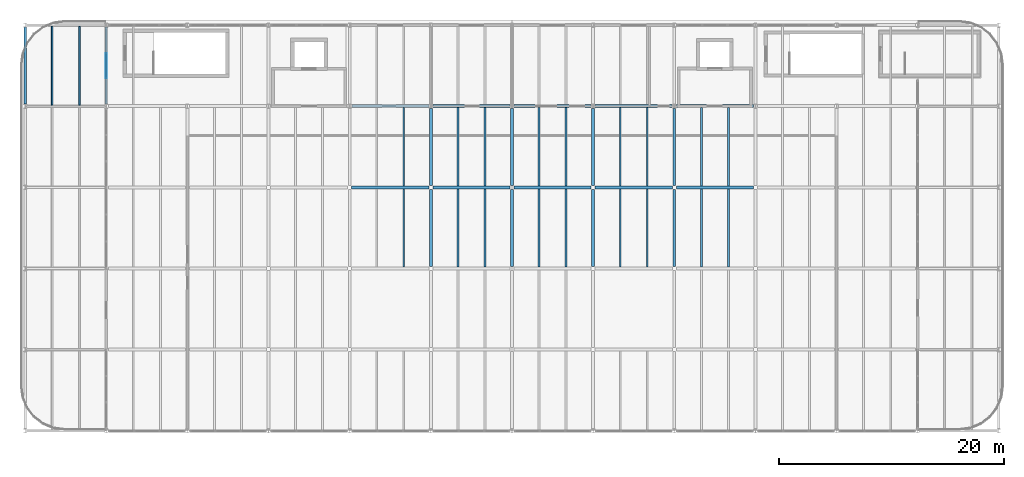
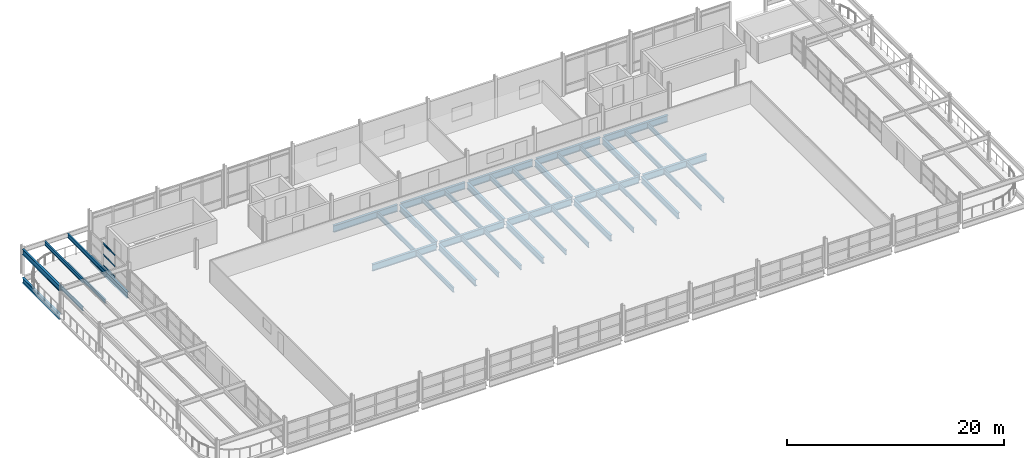
# One storey, part 12 of 25: 43 beams, 3 members, 1 element without a shape of its own.
"""IFC4 building model written with IfcOpenShell, lengths in metres."""

import ifcopenshell
import ifcopenshell.guid

model = None  # the IFC model being written
_history = None  # IfcOwnerHistory: only IFC2X3 demands one
_inside = {}  # id of a spatial element -> (the spatial element, [elements in it])
_under = {}  # id of a project, library or spatial element -> (it, [spatial elements below it])
_declared = {}  # id of a project -> (the project, [libraries it declares])
_typed = {}  # id of a type object -> (the type object, [elements of that type])
_made_of = {}  # id of a material, layer set ... -> (it, [elements and type objects made of it])


def new_model(schema):
    """Start an empty IFC model of exactly this schema.

    Asked for "IFC4X3", IfcOpenShell would pick the latest addendum, in which some entities
    have other attributes; the version numbers below select the first issue.
    IFC2X3 requires an IfcOwnerHistory on every rooted entity: one is made here for all.
    """
    global model, _history
    if schema == "IFC4X3":
        model = ifcopenshell.file(schema_version=(4, 3, 0, 0))
    else:
        model = ifcopenshell.file(schema=schema)
    _inside.clear()
    _under.clear()
    _declared.clear()
    _typed.clear()
    _made_of.clear()
    _history = None
    if model.schema == "IFC2X3":
        org = make("IfcOrganization", Name="unknown")
        user = make(
            "IfcPersonAndOrganization",
            ThePerson=make("IfcPerson", FamilyName="unknown"),
            TheOrganization=org,
        )
        app = make(
            "IfcApplication",
            ApplicationDeveloper=org,
            Version="unknown",
            ApplicationFullName="unknown",
            ApplicationIdentifier="unknown",
        )
        _history = make(
            "IfcOwnerHistory",
            OwningUser=user,
            OwningApplication=app,
            ChangeAction="ADDED",
            CreationDate=0,
        )
    return model


def make(cls, **values):
    """One entity of the class cls with the attributes given. An attribute that is None is left unset."""
    return model.create_entity(
        cls, **{name: value for name, value in values.items() if value is not None}
    )


def rooted(cls, **values):
    """An entity with a GlobalId (a new one), such as an element, a storey or a relation."""
    return make(cls, GlobalId=ifcopenshell.guid.new(), OwnerHistory=_history, **values)


def si_unit(unit_type, name, prefix=None):
    """IfcSIUnit, for example si_unit("LENGTHUNIT", "METRE", prefix="MILLI")."""
    return make("IfcSIUnit", UnitType=unit_type, Prefix=prefix, Name=name)


def assignment(units):
    """IfcUnitAssignment: the units of a project."""
    return None if units is None else make("IfcUnitAssignment", Units=units)


def point(xyz):
    """IfcCartesianPoint."""
    return None if xyz is None else make("IfcCartesianPoint", Coordinates=xyz)


def direction(xyz):
    """IfcDirection."""
    return None if xyz is None else make("IfcDirection", DirectionRatios=xyz)


def frame(location, z_axis=None, x_axis=None):
    """IfcAxis2Placement3D, a coordinate frame: its origin and axes. An axis left out is left unset."""
    return make(
        "IfcAxis2Placement3D",
        Location=point(location),
        Axis=direction(z_axis),
        RefDirection=direction(x_axis),
    )


def frame_2d(location, x_axis=None):
    """IfcAxis2Placement2D, a coordinate frame in the plane: its origin and x axis."""
    return make(
        "IfcAxis2Placement2D", Location=point(location), RefDirection=direction(x_axis)
    )


def origin():
    """The frame at (0, 0, 0) with its axes left unset."""
    return frame((0.0, 0.0, 0.0))


def origin_2d():
    """The frame at (0, 0) in the plane with its x axis left unset."""
    return frame_2d((0.0, 0.0))


def place(relative_to, where):
    """IfcLocalPlacement: puts the frame where relative to a parent placement (None: the world)."""
    return make(
        "IfcLocalPlacement", PlacementRelTo=relative_to, RelativePlacement=where
    )


def context(
    kind, dimensions, precision=None, world=None, true_north=None, identifier=None
):
    """IfcGeometricRepresentationContext, for example the 3D "Model" context."""
    return make(
        "IfcGeometricRepresentationContext",
        ContextIdentifier=identifier,
        ContextType=kind,
        CoordinateSpaceDimension=dimensions,
        Precision=precision,
        WorldCoordinateSystem=world,
        TrueNorth=true_north,
    )


def subcontext(parent, identifier, kind, view, scale=None):
    """IfcGeometricRepresentationSubContext, for example "Body" below "Model"."""
    return make(
        "IfcGeometricRepresentationSubContext",
        ContextIdentifier=identifier,
        ContextType=kind,
        ParentContext=parent,
        TargetScale=scale,
        TargetView=view,
    )


def project(units=None, contexts=None):
    """IfcProject with its units and contexts."""
    return rooted(
        "IfcProject",
        Name="project",
        RepresentationContexts=contexts,
        UnitsInContext=assignment(units),
    )


def spatial(cls, under=None, at=None, **own):
    """A site, building, storey or space (cls), placed at a placement, below another one or the project."""
    s = rooted(cls, ObjectPlacement=at, **own)
    if under is not None:
        _under.setdefault(under.id(), (under, []))[1].append(s)
    return s


def profile(cls, at=None, kind="AREA", **sizes):
    """A parametric profile (cls). Its sizes go by their IFC names, for example OverallWidth=200.0."""
    return make(cls, ProfileType=kind, Position=at, **sizes)


def rectangle(**sizes):
    """IfcRectangleProfileDef."""
    return profile("IfcRectangleProfileDef", **sizes)


def i_section(**sizes):
    """IfcIShapeProfileDef."""
    return profile("IfcIShapeProfileDef", **sizes)


def extrude(swept, where, along, depth):
    """IfcExtrudedAreaSolid: the profile swept, set in the frame where, extruded along a direction by depth."""
    return make(
        "IfcExtrudedAreaSolid",
        SweptArea=swept,
        Position=where,
        ExtrudedDirection=direction(along),
        Depth=depth,
    )


def shape(context_of_items, identifier, shape_type, items):
    """IfcShapeRepresentation: the items that make up one representation, for example the "Body"."""
    return make(
        "IfcShapeRepresentation",
        ContextOfItems=context_of_items,
        RepresentationIdentifier=identifier,
        RepresentationType=shape_type,
        Items=items,
    )


def material(Name=None, Category=None):
    """IfcMaterial."""
    return make("IfcMaterial", Name=Name, Category=Category)


def material_profile(
    of_material, cross_section, Name=None, Category=None, Priority=None
):
    """IfcMaterialProfile: a cross section and its material."""
    return make(
        "IfcMaterialProfile",
        Name=Name,
        Material=of_material,
        Profile=cross_section,
        Priority=Priority,
        Category=Category,
    )


def profile_set(profiles, Name=None, composite=None):
    """IfcMaterialProfileSet."""
    return make(
        "IfcMaterialProfileSet",
        Name=Name,
        MaterialProfiles=profiles,
        CompositeProfile=composite,
    )


def made_of(thing, what):
    """Note that an element or type object is made of a material, layer set ...; save() writes the relation."""
    if what is not None:
        _made_of.setdefault(what.id(), (what, []))[1].append(thing)
    return thing


def type_object(cls, material=None, **own):
    """A type object (cls), such as IfcWallType, which elements share."""
    return made_of(rooted(cls, **own), material)


def element(
    cls,
    number,
    at=None,
    inside=None,
    cuts=None,
    type_object=None,
    material=None,
    context=None,
    identifier="Body",
    shape_type=None,
    held_by="IfcProductDefinitionShape",
    body=None,
    shapes=None,
    **own,
):
    """One element of the class cls, such as IfcWall. Its Tag is "e" and its number.

    at: its placement. inside: the storey or other place that contains it. cuts: it is an
    opening in that element (IfcRelVoidsElement). A single representation is given by context,
    identifier, shape_type and body (its items); several are given by shapes. held_by: the class
    of the entity that holds the representations. save() writes the other relations.
    """
    e = rooted(cls, Tag="e%d" % number, ObjectPlacement=at, **own)
    if body is not None:
        shapes = [shape(context, identifier, shape_type, body)]
    if shapes is not None:
        e.Representation = make(held_by, Representations=shapes)
    if inside is not None:
        _inside.setdefault(inside.id(), (inside, []))[1].append(e)
    if cuts is not None:
        rooted(
            "IfcRelVoidsElement", RelatingBuildingElement=cuts, RelatedOpeningElement=e
        )
    if type_object is not None:
        _typed.setdefault(type_object.id(), (type_object, []))[1].append(e)
    return made_of(e, material)


def aggregate(whole, parts):
    """IfcRelAggregates: a whole, such as a stair, and the parts it consists of."""
    return rooted("IfcRelAggregates", RelatingObject=whole, RelatedObjects=parts)


def save(model, path):
    """Write the relations noted so far, then the file.

    IfcRelAggregates (storeys below a building ...), IfcRelContainedInSpatialStructure (elements
    in a storey), IfcRelDefinesByType, IfcRelAssociatesMaterial and IfcRelDeclares: one each for
    every whole, place, type object, material and project.
    """
    for whole, parts in _under.values():
        aggregate(whole, parts)
    for where, things in _inside.values():
        rooted(
            "IfcRelContainedInSpatialStructure",
            RelatedElements=things,
            RelatingStructure=where,
        )
    for kind, things in _typed.values():
        rooted("IfcRelDefinesByType", RelatedObjects=things, RelatingType=kind)
    for what, things in _made_of.values():
        rooted("IfcRelAssociatesMaterial", RelatedObjects=things, RelatingMaterial=what)
    for by, libraries in _declared.values():
        rooted("IfcRelDeclares", RelatingContext=by, RelatedDefinitions=libraries)
    model.write(path)


model = new_model("IFC4")

# Units and contexts
model_context = context("Model", 3, precision=1e-05, world=origin(), true_north=direction((0.0, 1.0)))
body_context = subcontext(model_context, "Body", "Model", "MODEL_VIEW")
ifc_project = project(units=[si_unit("LENGTHUNIT", "METRE"), si_unit("AREAUNIT", "SQUARE_METRE"), si_unit("VOLUMEUNIT", "CUBIC_METRE"), si_unit("PLANEANGLEUNIT", "RADIAN"), si_unit("MASSUNIT", "GRAM", prefix="KILO")], contexts=[model_context])

# Site, building, storey
site_placement = place(None, origin())
site = spatial("IfcSite", under=ifc_project, at=site_placement, CompositionType="ELEMENT")
building_placement = place(site_placement, origin())
building = spatial("IfcBuilding", under=site, at=building_placement, Name="Vaelcorin Mobility Hub", CompositionType="ELEMENT")
storey_placement = place(building_placement, frame((0.0, 0.0, 21.0)))
storey = spatial("IfcBuildingStorey", under=building, at=storey_placement, Name="L05", CompositionType="ELEMENT", Elevation=21.0)

# Beams
ifc_material_1 = material(Name="Steel ASTM A992 Grade 50", Category="steel")
ifc_material_profile_1 = material_profile(ifc_material_1, i_section(OverallWidth=0.152099609375, OverallDepth=0.455078125, WebThickness=0.008056640625, FlangeThickness=0.01318359375, FilletRadius=0.012939453125, at=origin_2d()), Name="W18X40")
ifc_profile_set_1 = profile_set([ifc_material_profile_1], Name="Steel ASTM A992 Grade 50")
beam_type_1 = type_object("IfcBeamType", Name="BM-W18X40", PredefinedType="JOIST", material=ifc_profile_set_1)
for number, where, z_axis, x_axis, name in (
    (1, (38.39990234375, 112.912109375, -0.447021484375), (0.0, 1.0, 0.0), (-1.0, 0.0, 0.0), "L05 Beam V3W-L05-J-01-05-1"),
    (2, (40.800048828125, 112.912109375, -0.447021484375), (0.0, 1.0, 0.0), (-1.0, 0.0, 0.0), "L05 Beam V3W-L05-J-01-05-2"),
):
    element("IfcBeam", number, at=place(storey_placement, frame(where, z_axis=z_axis, x_axis=x_axis)), inside=storey, type_object=beam_type_1, Name=name, PredefinedType="JOIST", context=body_context, shape_type="SweptSolid", body=[
        extrude(i_section(OverallWidth=0.152099609375, OverallDepth=0.455078125, WebThickness=0.008056640625, FlangeThickness=0.01318359375, FilletRadius=0.012939453125, at=origin_2d()), origin(), (0.0, 0.0, 1.0), 6.975830078125),
    ])
for number, where, z_axis, x_axis, name in (
    (3, (38.3759765625, 112.881103515625, 2.77197265625), (0.0, 1.0, 0.0), (-1.0, 0.0, 0.0), "L05 Beam V3-PERG-J-W-05-1"),
    (4, (40.823974609375, 112.881103515625, 2.77197265625), (0.0, 1.0, 0.0), (-1.0, 0.0, 0.0), "L05 Beam V3-PERG-J-W-05-2"),
):
    element("IfcBeam", number, at=place(storey_placement, frame(where, z_axis=z_axis, x_axis=x_axis)), inside=storey, type_object=beam_type_1, Name=name, PredefinedType="JOIST", context=body_context, shape_type="SweptSolid", body=[
        extrude(i_section(OverallWidth=0.152099609375, OverallDepth=0.455078125, WebThickness=0.008056640625, FlangeThickness=0.01318359375, FilletRadius=0.012939453125, at=origin_2d()), origin(), (0.0, 0.0, 1.0), 7.037841796875),
    ])
ifc_material_profile_2 = material_profile(ifc_material_1, i_section(OverallWidth=0.166015625, OverallDepth=0.528076171875, WebThickness=0.009765625, FlangeThickness=0.013671875, FilletRadius=0.013916015625, at=origin_2d()), Name="W21X50")
ifc_profile_set_2 = profile_set([ifc_material_profile_2], Name="Steel ASTM A992 Grade 50")
beam_type_2 = type_object("IfcBeamType", Name="BM-W21X50", PredefinedType="JOIST", material=ifc_profile_set_2)
for number, where, z_axis, x_axis, name in (
    (5, (69.60009765625, 98.531982421875, -0.52392578125), (0.0, 1.0, 0.0), (-1.0, 0.0, 0.0), "L05 Beam V3-L05-J-04-03-2"),
    (6, (69.60009765625, 105.73193359375, -0.52392578125), (0.0, 1.0, 0.0), (-1.0, 0.0, 0.0), "L05 Beam V3-L05-J-04-04-2"),
    (7, (74.39990234375, 98.531982421875, -0.52392578125), (0.0, 1.0, 0.0), (-1.0, 0.0, 0.0), "L05 Beam V3-L05-J-05-03-1"),
    (8, (76.800048828125, 98.531982421875, -0.52392578125), (0.0, 1.0, 0.0), (-1.0, 0.0, 0.0), "L05 Beam V3-L05-J-05-03-2"),
    (9, (74.39990234375, 105.73193359375, -0.52392578125), (0.0, 1.0, 0.0), (-1.0, 0.0, 0.0), "L05 Beam V3-L05-J-05-04-1"),
    (10, (76.800048828125, 105.73193359375, -0.52392578125), (0.0, 1.0, 0.0), (-1.0, 0.0, 0.0), "L05 Beam V3-L05-J-05-04-2"),
    (11, (81.60009765625, 98.531982421875, -0.52392578125), (0.0, 1.0, 0.0), (-1.0, 0.0, 0.0), "L05 Beam V3-L05-J-06-03-1"),
    (12, (84.0, 98.531982421875, -0.52392578125), (0.0, 1.0, 0.0), (-1.0, 0.0, 0.0), "L05 Beam V3-L05-J-06-03-2"),
    (13, (81.60009765625, 105.73193359375, -0.52392578125), (0.0, 1.0, 0.0), (-1.0, 0.0, 0.0), "L05 Beam V3-L05-J-06-04-1"),
    (14, (84.0, 105.73193359375, -0.52392578125), (0.0, 1.0, 0.0), (-1.0, 0.0, 0.0), "L05 Beam V3-L05-J-06-04-2"),
    (15, (88.800048828125, 98.531982421875, -0.52392578125), (0.0, 1.0, 0.0), (-1.0, 0.0, 0.0), "L05 Beam V3-L05-J-07-03-1"),
    (16, (91.199951171875, 98.531982421875, -0.52392578125), (0.0, 1.0, 0.0), (-1.0, 0.0, 0.0), "L05 Beam V3-L05-J-07-03-2"),
    (17, (88.800048828125, 105.73193359375, -0.52392578125), (0.0, 1.0, 0.0), (-1.0, 0.0, 0.0), "L05 Beam V3-L05-J-07-04-1"),
    (18, (91.199951171875, 105.73193359375, -0.52392578125), (0.0, 1.0, 0.0), (-1.0, 0.0, 0.0), "L05 Beam V3-L05-J-07-04-2"),
    (19, (96.0, 98.531982421875, -0.52392578125), (0.0, 1.0, 0.0), (-1.0, 0.0, 0.0), "L05 Beam V3-L05-J-08-03-1"),
    (20, (98.39990234375, 98.531982421875, -0.52392578125), (0.0, 1.0, 0.0), (-1.0, 0.0, 0.0), "L05 Beam V3-L05-J-08-03-2"),
    (21, (96.0, 105.73193359375, -0.52392578125), (0.0, 1.0, 0.0), (-1.0, 0.0, 0.0), "L05 Beam V3-L05-J-08-04-1"),
    (22, (98.39990234375, 105.73193359375, -0.52392578125), (0.0, 1.0, 0.0), (-1.0, 0.0, 0.0), "L05 Beam V3-L05-J-08-04-2"),
):
    element("IfcBeam", number, at=place(storey_placement, frame(where, z_axis=z_axis, x_axis=x_axis)), inside=storey, type_object=beam_type_2, Name=name, PredefinedType="JOIST", context=body_context, shape_type="SweptSolid", body=[
        extrude(i_section(OverallWidth=0.166015625, OverallDepth=0.528076171875, WebThickness=0.009765625, FlangeThickness=0.013671875, FilletRadius=0.013916015625, at=origin_2d()), origin(), (0.0, 0.0, 1.0), 6.93603515625),
    ])
ifc_material_profile_3 = material_profile(ifc_material_1, i_section(OverallWidth=0.22802734375, OverallDepth=0.60205078125, WebThickness=0.010498046875, FlangeThickness=0.014892578125, FilletRadius=0.014892578125, at=origin_2d()), Name="W24X68")
ifc_profile_set_3 = profile_set([ifc_material_profile_3], Name="Steel ASTM A992 Grade 50")
beam_type_3 = type_object("IfcBeamType", Name="BM-W24X68", PredefinedType="SPANDREL", material=ifc_profile_set_3)
beam_1_placement = place(storey_placement, frame((36.0, 112.97998046875, -0.52099609375), z_axis=(0.0, 1.0, 0.0), x_axis=(-1.0, 0.0, 0.0)))
element("IfcBeam", 23, at=beam_1_placement, inside=storey, type_object=beam_type_3, Name="L05 Beam V3W-L05-GY-01-05", PredefinedType="SPANDREL", context=body_context, shape_type="SweptSolid", body=[
    extrude(i_section(OverallWidth=0.22802734375, OverallDepth=0.60205078125, WebThickness=0.010498046875, FlangeThickness=0.014892578125, FilletRadius=0.014892578125, at=origin_2d()), origin(), (0.0, 0.0, 1.0), 6.843994140625),
])
beam_2_placement = place(storey_placement, frame((36.0, 112.97607421875, 2.698974609375), z_axis=(0.0, 1.0, 0.0), x_axis=(-1.0, 0.0, 0.0)))
element("IfcBeam", 24, at=beam_2_placement, inside=storey, type_object=beam_type_3, Name="L05 Beam V3-PERG-GY-W-05", PredefinedType="SPANDREL", context=body_context, shape_type="SweptSolid", body=[
    extrude(i_section(OverallWidth=0.22802734375, OverallDepth=0.60205078125, WebThickness=0.010498046875, FlangeThickness=0.014892578125, FilletRadius=0.014892578125, at=origin_2d()), origin(), (0.0, 0.0, 1.0), 6.847900390625),
])
ifc_material_profile_4 = material_profile(ifc_material_1, i_section(OverallWidth=0.25390625, OverallDepth=0.68310546875, WebThickness=0.012451171875, FlangeThickness=0.018798828125, FilletRadius=0.01611328125, at=origin_2d()), Name="W27X94")
ifc_profile_set_4 = profile_set([ifc_material_profile_4], Name="Steel ASTM A992 Grade 50")
beam_type_4 = type_object("IfcBeamType", Name="BM-W27X94", PredefinedType="BEAM", material=ifc_profile_set_4)
beam_3_placement = place(storey_placement, frame((43.199951171875, 112.97998046875, -0.60205078125), z_axis=(0.0, 1.0, 0.0), x_axis=(-1.0, 0.0, 0.0)))
element("IfcBeam", 25, at=beam_3_placement, inside=storey, type_object=beam_type_4, Name="L05 Beam V3-L05-GY-01-05", PredefinedType="BEAM", context=body_context, shape_type="SweptSolid", body=[
    extrude(i_section(OverallWidth=0.25390625, OverallDepth=0.68310546875, WebThickness=0.012451171875, FlangeThickness=0.018798828125, FilletRadius=0.01611328125, at=origin_2d()), origin(), (0.0, 0.0, 1.0), 6.843994140625),
])
beam_4_placement = place(storey_placement, frame((72.0, 98.575927734375, -0.60205078125), z_axis=(0.0, 1.0, 0.0), x_axis=(-1.0, 0.0, 0.0)))
element("IfcBeam", 26, at=beam_4_placement, inside=storey, type_object=beam_type_4, Name="L05 Beam V3-L05-GY-05-03", PredefinedType="BEAM", context=body_context, shape_type="SweptSolid", body=[
    extrude(i_section(OverallWidth=0.25390625, OverallDepth=0.68310546875, WebThickness=0.012451171875, FlangeThickness=0.018798828125, FilletRadius=0.01611328125, at=origin_2d()), origin(), (0.0, 0.0, 1.0), 6.84814453125),
])
beam_5_placement = place(storey_placement, frame((72.0, 105.77587890625, -0.60205078125), z_axis=(0.0, 1.0, 0.0), x_axis=(-1.0, 0.0, 0.0)))
element("IfcBeam", 27, at=beam_5_placement, inside=storey, type_object=beam_type_4, Name="L05 Beam V3-L05-GY-05-04", PredefinedType="BEAM", context=body_context, shape_type="SweptSolid", body=[
    extrude(i_section(OverallWidth=0.25390625, OverallDepth=0.68310546875, WebThickness=0.012451171875, FlangeThickness=0.018798828125, FilletRadius=0.01611328125, at=origin_2d()), origin(), (0.0, 0.0, 1.0), 6.84423828125),
])
beam_6_placement = place(storey_placement, frame((79.199951171875, 98.575927734375, -0.60205078125), z_axis=(0.0, 1.0, 0.0), x_axis=(-1.0, 0.0, 0.0)))
element("IfcBeam", 28, at=beam_6_placement, inside=storey, type_object=beam_type_4, Name="L05 Beam V3-L05-GY-06-03", PredefinedType="BEAM", context=body_context, shape_type="SweptSolid", body=[
    extrude(i_section(OverallWidth=0.25390625, OverallDepth=0.68310546875, WebThickness=0.012451171875, FlangeThickness=0.018798828125, FilletRadius=0.01611328125, at=origin_2d()), origin(), (0.0, 0.0, 1.0), 6.84814453125),
])
beam_7_placement = place(storey_placement, frame((79.199951171875, 105.77587890625, -0.60205078125), z_axis=(0.0, 1.0, 0.0), x_axis=(-1.0, 0.0, 0.0)))
element("IfcBeam", 29, at=beam_7_placement, inside=storey, type_object=beam_type_4, Name="L05 Beam V3-L05-GY-06-04", PredefinedType="BEAM", context=body_context, shape_type="SweptSolid", body=[
    extrude(i_section(OverallWidth=0.25390625, OverallDepth=0.68310546875, WebThickness=0.012451171875, FlangeThickness=0.018798828125, FilletRadius=0.01611328125, at=origin_2d()), origin(), (0.0, 0.0, 1.0), 6.84423828125),
])
beam_8_placement = place(storey_placement, frame((86.39990234375, 98.575927734375, -0.60205078125), z_axis=(0.0, 1.0, 0.0), x_axis=(-1.0, 0.0, 0.0)))
element("IfcBeam", 30, at=beam_8_placement, inside=storey, type_object=beam_type_4, Name="L05 Beam V3-L05-GY-07-03", PredefinedType="BEAM", context=body_context, shape_type="SweptSolid", body=[
    extrude(i_section(OverallWidth=0.25390625, OverallDepth=0.68310546875, WebThickness=0.012451171875, FlangeThickness=0.018798828125, FilletRadius=0.01611328125, at=origin_2d()), origin(), (0.0, 0.0, 1.0), 6.84814453125),
])
beam_9_placement = place(storey_placement, frame((86.39990234375, 105.77587890625, -0.60205078125), z_axis=(0.0, 1.0, 0.0), x_axis=(-1.0, 0.0, 0.0)))
element("IfcBeam", 31, at=beam_9_placement, inside=storey, type_object=beam_type_4, Name="L05 Beam V3-L05-GY-07-04", PredefinedType="BEAM", context=body_context, shape_type="SweptSolid", body=[
    extrude(i_section(OverallWidth=0.25390625, OverallDepth=0.68310546875, WebThickness=0.012451171875, FlangeThickness=0.018798828125, FilletRadius=0.01611328125, at=origin_2d()), origin(), (0.0, 0.0, 1.0), 6.84423828125),
])
beam_10_placement = place(storey_placement, frame((93.60009765625, 98.575927734375, -0.60205078125), z_axis=(0.0, 1.0, 0.0), x_axis=(-1.0, 0.0, 0.0)))
element("IfcBeam", 32, at=beam_10_placement, inside=storey, type_object=beam_type_4, Name="L05 Beam V3-L05-GY-08-03", PredefinedType="BEAM", context=body_context, shape_type="SweptSolid", body=[
    extrude(i_section(OverallWidth=0.25390625, OverallDepth=0.68310546875, WebThickness=0.012451171875, FlangeThickness=0.018798828125, FilletRadius=0.01611328125, at=origin_2d()), origin(), (0.0, 0.0, 1.0), 6.84814453125),
])
beam_11_placement = place(storey_placement, frame((93.60009765625, 105.77587890625, -0.60205078125), z_axis=(0.0, 1.0, 0.0), x_axis=(-1.0, 0.0, 0.0)))
element("IfcBeam", 33, at=beam_11_placement, inside=storey, type_object=beam_type_4, Name="L05 Beam V3-L05-GY-08-04", PredefinedType="BEAM", context=body_context, shape_type="SweptSolid", body=[
    extrude(i_section(OverallWidth=0.25390625, OverallDepth=0.68310546875, WebThickness=0.012451171875, FlangeThickness=0.018798828125, FilletRadius=0.01611328125, at=origin_2d()), origin(), (0.0, 0.0, 1.0), 6.84423828125),
])
ifc_material_profile_5 = material_profile(ifc_material_1, i_section(OverallWidth=0.26708984375, OverallDepth=0.757080078125, WebThickness=0.013916015625, FlangeThickness=0.019287109375, FilletRadius=0.01708984375, at=origin_2d()), Name="W30X108")
ifc_profile_set_5 = profile_set([ifc_material_profile_5], Name="Steel ASTM A992 Grade 50")
beam_type_5 = type_object("IfcBeamType", Name="BM-W30X108", PredefinedType="BEAM", material=ifc_profile_set_5)
for number, where, z_axis, x_axis, name in (
    (34, (64.98193359375, 105.60009765625, -0.637939453125), (1.0, 0.0, 0.0), (0.0, 1.0, 0.0), "L05 Beam V3-L05-GX-04-04"),
    (35, (72.181884765625, 105.60009765625, -0.637939453125), (1.0, 0.0, 0.0), (0.0, 1.0, 0.0), "L05 Beam V3-L05-GX-04-05"),
):
    element("IfcBeam", number, at=place(storey_placement, frame(where, z_axis=z_axis, x_axis=x_axis)), inside=storey, type_object=beam_type_5, Name=name, PredefinedType="BEAM", context=body_context, shape_type="SweptSolid", body=[
        extrude(i_section(OverallWidth=0.26708984375, OverallDepth=0.757080078125, WebThickness=0.013916015625, FlangeThickness=0.019287109375, FilletRadius=0.01708984375, at=origin_2d()), origin(), (0.0, 0.0, 1.0), 6.836181640625),
    ])
for number, where, z_axis, x_axis, name in (
    (36, (79.382080078125, 105.60009765625, -0.637939453125), (1.0, 0.0, 0.0), (0.0, 1.0, 0.0), "L05 Beam V3-L05-GX-04-06"),
    (37, (86.58203125, 105.60009765625, -0.637939453125), (1.0, 0.0, 0.0), (0.0, 1.0, 0.0), "L05 Beam V3-L05-GX-04-07"),
    (38, (93.781982421875, 105.60009765625, -0.637939453125), (1.0, 0.0, 0.0), (0.0, 1.0, 0.0), "L05 Beam V3-L05-GX-04-08"),
):
    element("IfcBeam", number, at=place(storey_placement, frame(where, z_axis=z_axis, x_axis=x_axis)), inside=storey, type_object=beam_type_5, Name=name, PredefinedType="BEAM", context=body_context, shape_type="SweptSolid", body=[
        extrude(i_section(OverallWidth=0.26708984375, OverallDepth=0.757080078125, WebThickness=0.013916015625, FlangeThickness=0.019287109375, FilletRadius=0.01708984375, at=origin_2d()), origin(), (0.0, 0.0, 1.0), 6.8359375),
    ])
for number, where, z_axis, x_axis, name in (
    (39, (64.98291015625, 112.800048828125, -0.637939453125), (1.0, 0.0, 0.0), (0.0, 1.0, 0.0), "L05 Beam V3-L05-GX-05-04"),
    (40, (72.18408203125, 112.800048828125, -0.637939453125), (1.0, 0.0, 0.0), (0.0, 1.0, 0.0), "L05 Beam V3-L05-GX-05-05"),
    (41, (79.384033203125, 112.800048828125, -0.637939453125), (1.0, 0.0, 0.0), (0.0, 1.0, 0.0), "L05 Beam V3-L05-GX-05-06"),
):
    element("IfcBeam", number, at=place(storey_placement, frame(where, z_axis=z_axis, x_axis=x_axis)), inside=storey, type_object=beam_type_5, Name=name, PredefinedType="BEAM", context=body_context, shape_type="SweptSolid", body=[
        extrude(i_section(OverallWidth=0.26708984375, OverallDepth=0.757080078125, WebThickness=0.013916015625, FlangeThickness=0.019287109375, FilletRadius=0.01708984375, at=origin_2d()), origin(), (0.0, 0.0, 1.0), 6.8330078125),
    ])
beam_12_placement = place(storey_placement, frame((86.583984375, 112.800048828125, -0.637939453125), z_axis=(1.0, 0.0, 0.0), x_axis=(0.0, 1.0, 0.0)))
element("IfcBeam", 42, at=beam_12_placement, inside=storey, type_object=beam_type_5, Name="L05 Beam V3-L05-GX-05-07", PredefinedType="BEAM", context=body_context, shape_type="SweptSolid", body=[
    extrude(i_section(OverallWidth=0.26708984375, OverallDepth=0.757080078125, WebThickness=0.013916015625, FlangeThickness=0.019287109375, FilletRadius=0.01708984375, at=origin_2d()), origin(), (0.0, 0.0, 1.0), 6.83203125),
])
beam_13_placement = place(storey_placement, frame((93.782958984375, 112.800048828125, -0.637939453125), z_axis=(1.0, 0.0, 0.0), x_axis=(0.0, 1.0, 0.0)))
element("IfcBeam", 43, at=beam_13_placement, inside=storey, type_object=beam_type_5, Name="L05 Beam V3-L05-GX-05-08", PredefinedType="BEAM", context=body_context, shape_type="SweptSolid", body=[
    extrude(i_section(OverallWidth=0.26708984375, OverallDepth=0.757080078125, WebThickness=0.013916015625, FlangeThickness=0.019287109375, FilletRadius=0.01708984375, at=origin_2d()), origin(), (0.0, 0.0, 1.0), 6.8330078125),
])

# Curtain wall, members
ifc_material_2 = material(Name="Anodised aluminium 6063-T6", Category="aluminium")
curtain_wall_type = type_object("IfcCurtainWallType", Name="CW-SPT-A", PredefinedType="NOTDEFINED", material=ifc_material_2)
curtain_wall_placement = place(storey_placement, origin())
curtain_wall = element("IfcCurtainWall", 44, at=curtain_wall_placement, inside=storey, type_object=curtain_wall_type, Name="L05 Curtain Wall CW-V3-W-05", PredefinedType="NOTDEFINED")
ifc_material_profile_6 = material_profile(ifc_material_2, rectangle(XDim=0.06005859375, YDim=0.1201171875, at=origin_2d()), Name="ALU-T60X120")
ifc_profile_set_6 = profile_set([ifc_material_profile_6], Name="Anodised aluminium 6063-T6")
member_type = type_object("IfcMemberType", Name="CW-TRAN-140", PredefinedType="USERDEFINED", material=ifc_profile_set_6)
member_1_placement = place(storey_placement, frame((43.199951171875, 115.30322265625, 0.030029296875), z_axis=(0.0, 1.0, 0.0), x_axis=(-1.0, 0.0, 0.0)))
member_1 = element("IfcMember", 45, at=member_1_placement, type_object=member_type, Name="CW5 transom 2.1", ObjectType="TRANSOM", PredefinedType="USERDEFINED", context=body_context, shape_type="SweptSolid", body=[
    extrude(rectangle(XDim=0.06005859375, YDim=0.1201171875, at=origin_2d()), origin(), (0.0, 0.0, 1.0), 2.193359375),
])
member_2_placement = place(storey_placement, frame((43.199951171875, 115.30322265625, 1.25), z_axis=(0.0, 1.0, 0.0), x_axis=(-1.0, 0.0, 0.0)))
member_2 = element("IfcMember", 46, at=member_2_placement, type_object=member_type, Name="CW5 transom 2.2", ObjectType="TRANSOM", PredefinedType="USERDEFINED", context=body_context, shape_type="SweptSolid", body=[
    extrude(rectangle(XDim=0.06005859375, YDim=0.1201171875, at=origin_2d()), origin(), (0.0, 0.0, 1.0), 2.193359375),
])
member_3_placement = place(storey_placement, frame((43.199951171875, 115.30322265625, 2.469970703125), z_axis=(0.0, 1.0, 0.0), x_axis=(-1.0, 0.0, 0.0)))
member_3 = element("IfcMember", 47, at=member_3_placement, type_object=member_type, Name="CW5 transom 2.3", ObjectType="TRANSOM", PredefinedType="USERDEFINED", context=body_context, shape_type="SweptSolid", body=[
    extrude(rectangle(XDim=0.06005859375, YDim=0.1201171875, at=origin_2d()), origin(), (0.0, 0.0, 1.0), 2.193359375),
])
aggregate(curtain_wall, [member_1, member_2, member_3])

save(model, "model.ifc")
